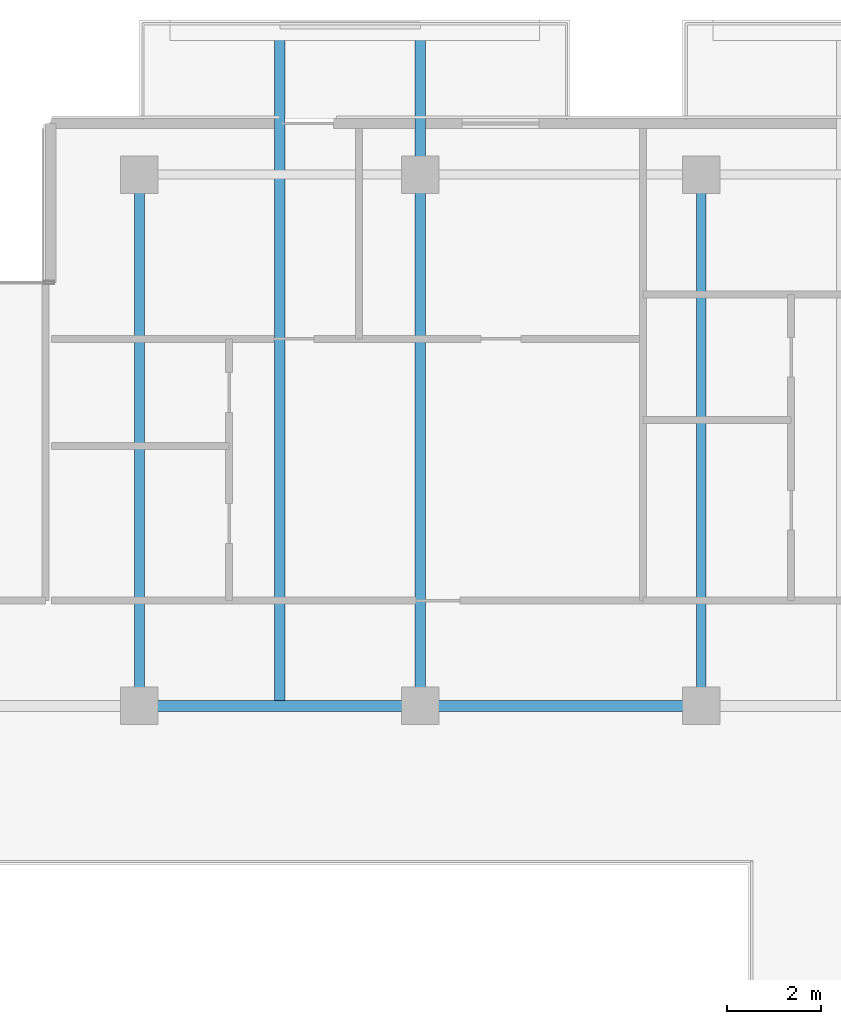
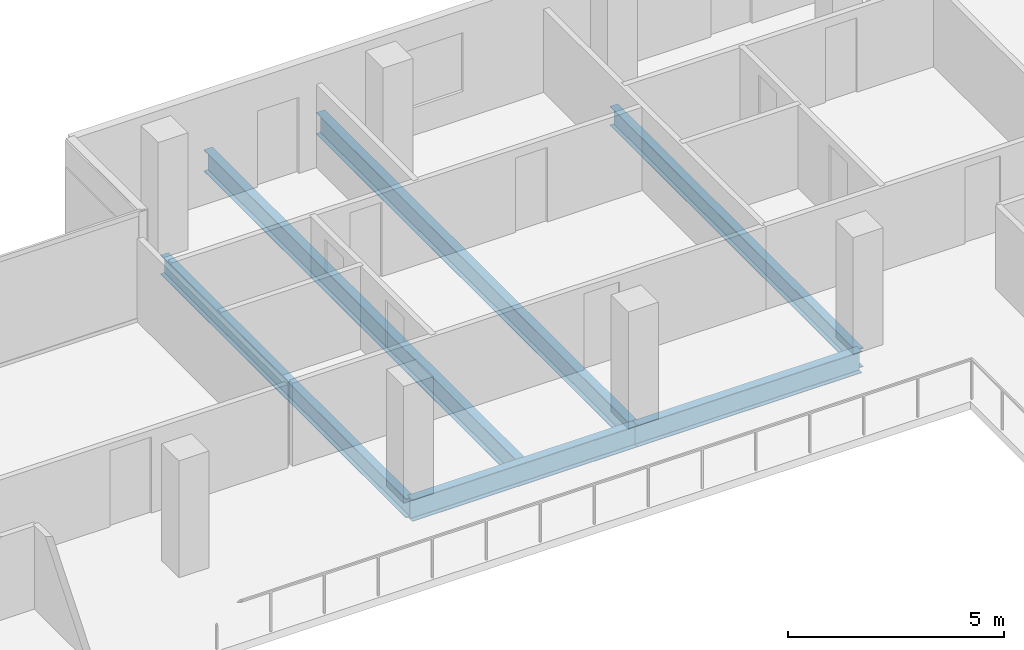
# One storey, part 11 of 29: 6 beams.
"""IFC4 building model written with IfcOpenShell, lengths in metres."""

from ifc_helpers import new_model, si_unit, direction, frame, origin, origin_2d, place, context, subcontext, project, spatial, i_section, extrude, material, material_profile, profile_set, type_object, element, save


model = new_model("IFC4")

# Units and contexts
model_context = context("Model", 3, precision=1e-05, world=origin(), true_north=direction((0.0, 1.0)))
body_context = subcontext(model_context, "Body", "Model", "MODEL_VIEW")
ifc_project = project(units=[si_unit("LENGTHUNIT", "METRE"), si_unit("AREAUNIT", "SQUARE_METRE"), si_unit("VOLUMEUNIT", "CUBIC_METRE"), si_unit("PLANEANGLEUNIT", "RADIAN"), si_unit("MASSUNIT", "GRAM", prefix="KILO")], contexts=[model_context])

# Site, building, storey
site_placement = place(None, origin())
site = spatial("IfcSite", under=ifc_project, at=site_placement, CompositionType="ELEMENT")
building_placement = place(site_placement, origin())
building = spatial("IfcBuilding", under=site, at=building_placement, Name="Tanjung Sevakor Pilgrim Tower", CompositionType="ELEMENT")
storey_placement = place(building_placement, frame((0.0, 0.0, 188.429931640625)))
storey = spatial("IfcBuildingStorey", under=building, at=storey_placement, Name="L52", CompositionType="ELEMENT", Elevation=188.429931640625)

# Beams
ifc_material_1 = material(Name="Steel S355J2", Category="steel")
ifc_material_profile_1 = material_profile(ifc_material_1, i_section(OverallWidth=0.22900390625, OverallDepth=0.6123046875, WebThickness=0.011962890625, FlangeThickness=0.01953125, FilletRadius=0.0126953125, at=origin_2d()))
ifc_profile_set_1 = profile_set([ifc_material_profile_1], Name="Steel S355J2")
beam_type_1 = type_object("IfcBeamType", Name="BM-B-G4-UB_610x229x125", PredefinedType="BEAM", material=ifc_profile_set_1)
for number, where, z_axis, x_axis, name in (
    (1, (54.0, 42.60009765625, -0.526123046875), (1.0, 0.0, 0.0), (0.0, 1.0, 0.0), "L52 Primary Floor Girder MAIN Y426-05"),
    (2, (60.0, 42.60009765625, -0.526123046875), (1.0, 0.0, 0.0), (0.0, 1.0, 0.0), "L52 Primary Floor Girder MAIN Y426-06"),
):
    element("IfcBeam", number, at=place(storey_placement, frame(where, z_axis=z_axis, x_axis=x_axis)), inside=storey, type_object=beam_type_1, Name=name, PredefinedType="BEAM", context=body_context, shape_type="SweptSolid", body=[
        extrude(i_section(OverallWidth=0.22900390625, OverallDepth=0.6123046875, WebThickness=0.011962890625, FlangeThickness=0.01953125, FilletRadius=0.0126953125, at=origin_2d()), origin(), (0.0, 0.0, 1.0), 6.0),
    ])
beam_1_placement = place(storey_placement, frame((57.0, 42.714599609375, -0.526123046875), z_axis=(0.0, 1.0, 0.0), x_axis=(-1.0, 0.0, 0.0)))
element("IfcBeam", 3, at=beam_1_placement, inside=storey, type_object=beam_type_1, Name="L52 Balcony Cantilever Beam MAIN-N2-1", PredefinedType="BEAM", context=body_context, shape_type="SweptSolid", body=[
    extrude(i_section(OverallWidth=0.22900390625, OverallDepth=0.6123046875, WebThickness=0.011962890625, FlangeThickness=0.01953125, FilletRadius=0.0126953125, at=origin_2d()), origin(), (0.0, 0.0, 1.0), 14.415283203125),
])
beam_2_placement = place(storey_placement, frame((60.0, 42.60009765625, -0.526123046875), z_axis=(0.0, 1.0, 0.0), x_axis=(-1.0, 0.0, 0.0)))
element("IfcBeam", 4, at=beam_2_placement, inside=storey, type_object=beam_type_1, Name="L52 Balcony Cantilever Beam MAIN-N2-2", PredefinedType="BEAM", context=body_context, shape_type="SweptSolid", body=[
    extrude(i_section(OverallWidth=0.22900390625, OverallDepth=0.6123046875, WebThickness=0.011962890625, FlangeThickness=0.01953125, FilletRadius=0.0126953125, at=origin_2d()), origin(), (0.0, 0.0, 1.0), 14.52978515625),
])
ifc_material_2 = material(Name="Steel S355J2", Category="steel")
ifc_material_profile_2 = material_profile(ifc_material_2, i_section(OverallWidth=0.2119140625, OverallDepth=0.54443359375, WebThickness=0.0126953125, FlangeThickness=0.021240234375, FilletRadius=0.0126953125, at=origin_2d()))
ifc_profile_set_2 = profile_set([ifc_material_profile_2], Name="Steel S355J2")
beam_type_2 = type_object("IfcBeamType", Name="BM-B-G5-UB_533x210x122", PredefinedType="BEAM", material=ifc_profile_set_2)
for number, where, z_axis, x_axis, name in (
    (5, (54.0, 42.60009765625, -0.4921875), (0.0, 1.0, 0.0), (-1.0, 0.0, 0.0), "L52 MAIN Girder 009"),
    (6, (66.0, 42.60009765625, -0.4921875), (0.0, 1.0, 0.0), (-1.0, 0.0, 0.0), "L52 MAIN Girder 011"),
):
    element("IfcBeam", number, at=place(storey_placement, frame(where, z_axis=z_axis, x_axis=x_axis)), inside=storey, type_object=beam_type_2, Name=name, PredefinedType="BEAM", context=body_context, shape_type="SweptSolid", body=[
        extrude(i_section(OverallWidth=0.2119140625, OverallDepth=0.54443359375, WebThickness=0.0126953125, FlangeThickness=0.021240234375, FilletRadius=0.0126953125, at=origin_2d()), origin(), (0.0, 0.0, 1.0), 11.349853515625),
    ])

save(model, "model.ifc")
